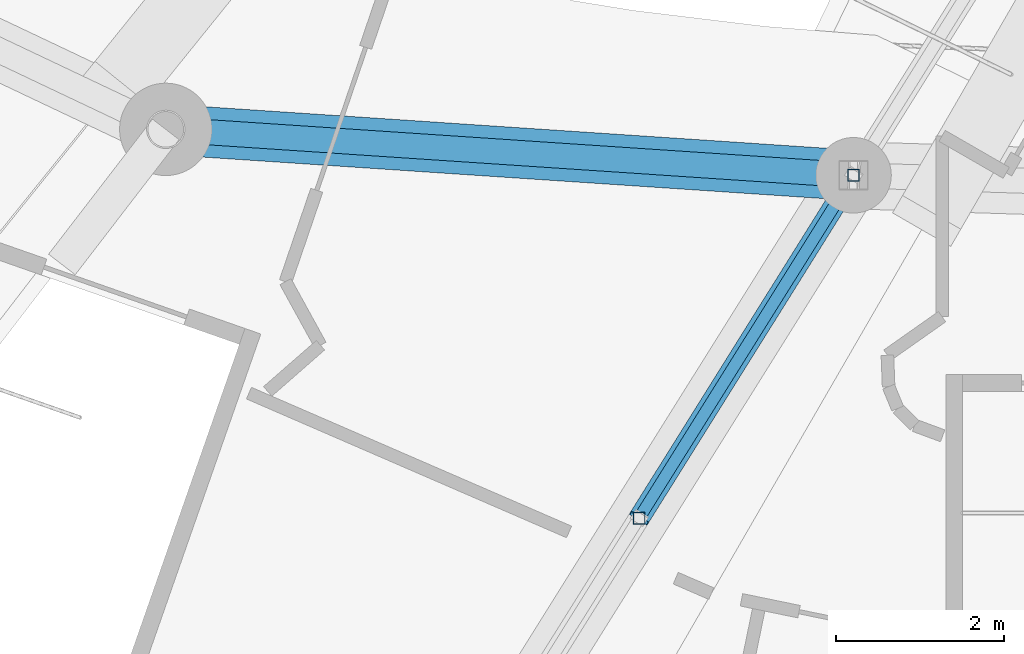
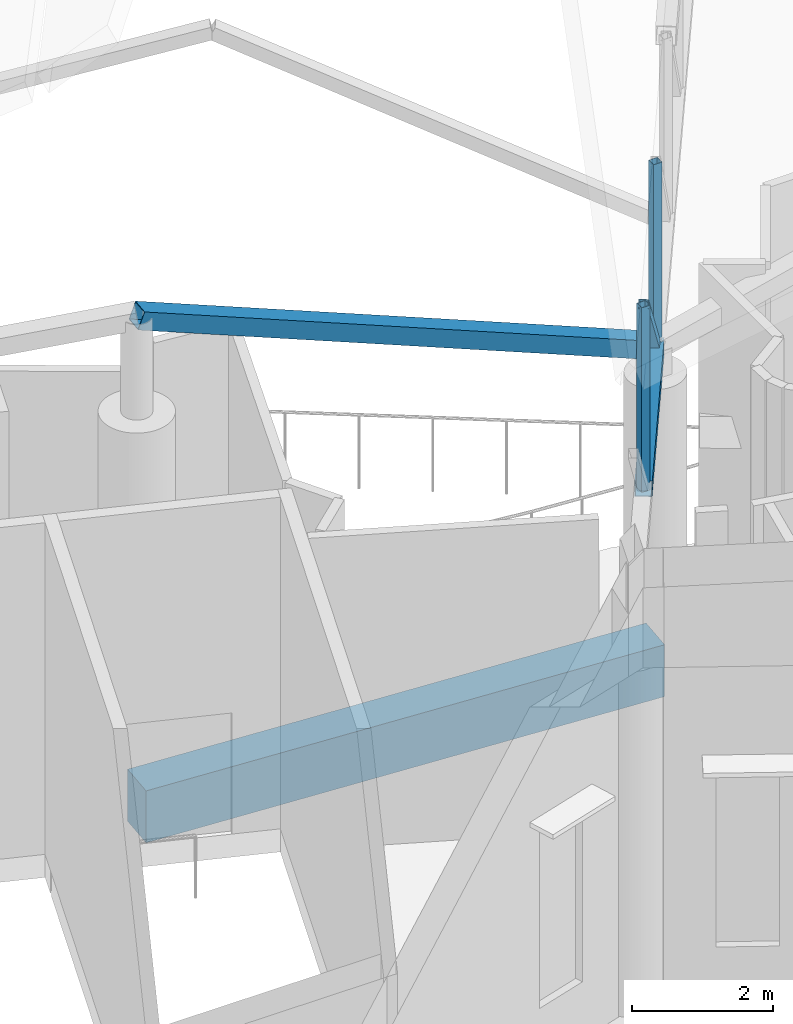
# One storey, part 6 of 344: 5 members, 1 beam.
"""IFC4 building model written with IfcOpenShell, lengths in metres."""

from ifc_helpers import new_model, si_unit, direction, frame, origin, origin_2d, place, context, subcontext, project, spatial, rectangle, hollow_rectangle, extrude, material, material_profile, profile_set, type_object, element, save


model = new_model("IFC4")

# Units and contexts
model_context = context("Model", 3, precision=1e-05, world=origin(), true_north=direction((0.0, 1.0)))
body_context = subcontext(model_context, "Body", "Model", "MODEL_VIEW")
ifc_project = project(units=[si_unit("LENGTHUNIT", "METRE"), si_unit("AREAUNIT", "SQUARE_METRE"), si_unit("VOLUMEUNIT", "CUBIC_METRE"), si_unit("PLANEANGLEUNIT", "RADIAN"), si_unit("MASSUNIT", "GRAM", prefix="KILO")], contexts=[model_context])

# Site, building, storey
site_placement = place(None, origin())
site = spatial("IfcSite", under=ifc_project, at=site_placement, CompositionType="ELEMENT")
building_placement = place(site_placement, origin())
building = spatial("IfcBuilding", under=site, at=building_placement, Name="Meseta Stadium", CompositionType="ELEMENT")
storey_placement = place(building_placement, frame((0.0, 0.0, 24.0)))
storey = spatial("IfcBuildingStorey", under=building, at=storey_placement, Name="L04", CompositionType="ELEMENT", Elevation=24.0)

# Beam
ifc_material_1 = material(Name="Concrete C40/50", Category="concrete")
ifc_material_profile_1 = material_profile(ifc_material_1, rectangle(XDim=0.60009765625, YDim=0.89990234375, at=origin_2d()), Name="RC 600x900")
ifc_profile_set_1 = profile_set([ifc_material_profile_1], Name="Concrete C40/50")
beam_type = type_object("IfcBeamType", Name="RC beam 600x900", PredefinedType="BEAM", material=ifc_profile_set_1)
beam_placement = place(storey_placement, frame((-54.523193359375, -89.579345703125, -0.85009765625), z_axis=(0.997778045289, -0.066625613231, 0.0), x_axis=(0.066625613231, 0.997778045289, 0.0)))
element("IfcBeam", 1, at=beam_placement, inside=storey, type_object=beam_type, Name="L04 ring beam frame 42 line P", PredefinedType="BEAM", context=body_context, shape_type="SweptSolid", body=[
    extrude(rectangle(XDim=0.60009765625, YDim=0.89990234375, at=origin_2d()), origin(), (0.0, 0.0, 1.0), 8.208251953125),
])

# Members
ifc_material_2 = material(Name="Steel S355", Category="steel")
ifc_material_profile_2 = material_profile(ifc_material_2, hollow_rectangle(XDim=0.139892578125, YDim=0.139892578125, WallThickness=0.0048828125, at=origin_2d()), Name="SHS 140x140x5")
ifc_profile_set_2 = profile_set([ifc_material_profile_2], Name="Steel S355")
member_type_1 = type_object("IfcMemberType", Name="SHS 140x140x5 diagonal", PredefinedType="BRACE", material=ifc_profile_set_2)
member_1_placement = place(storey_placement, frame((-46.333251953125, -90.126220703125, 4.598388671875), z_axis=(-0.404187576532, -0.646329201819, 0.647217865833), x_axis=(0.847861596685, -0.530217608974, 0.0)))
element("IfcMember", 2, at=member_1_placement, inside=storey, type_object=member_type_1, Name="ROOF TRUSS RT-43 diagonal", PredefinedType="BRACE", context=body_context, shape_type="SweptSolid", body=[
    extrude(hollow_rectangle(XDim=0.139892578125, YDim=0.139892578125, WallThickness=0.0048828125, at=origin_2d()), origin(), (0.0, 0.0, 1.0), 6.31884765625),
])
ifc_material_3 = material(Name="Steel S355", Category="steel")
ifc_material_profile_3 = material_profile(ifc_material_3, hollow_rectangle(XDim=0.139892578125, YDim=0.139892578125, WallThickness=0.0048828125, at=origin_2d()), Name="SHS 140x140x5")
ifc_profile_set_3 = profile_set([ifc_material_profile_3], Name="Steel S355")
member_type_2 = type_object("IfcMemberType", Name="SHS 140x140x5 post", PredefinedType="POST", material=ifc_profile_set_3)
for number, where, z_axis, x_axis, name in (
    (3, (-46.333251953125, -90.126220703125, 4.598388671875), (0.0, 0.0, 1.0), (1.0, 0.0, 0.0), "ROOF TRUSS RT-43 post"),
    (4, (-48.88720703125, -94.210205078125, 5.488037109375), (0.0, 0.0, 1.0), (1.0, 0.0, 0.0), "ROOF TRUSS RT-43 post"),
):
    element("IfcMember", number, at=place(storey_placement, frame(where, z_axis=z_axis, x_axis=x_axis)), inside=storey, type_object=member_type_2, Name=name, PredefinedType="POST", context=body_context, shape_type="SweptSolid", body=[
        extrude(hollow_rectangle(XDim=0.139892578125, YDim=0.139892578125, WallThickness=0.0048828125, at=origin_2d()), origin(), (0.0, 0.0, 1.0), 3.199951171875),
    ])
ifc_material_4 = material(Name="Steel S355", Category="steel")
ifc_material_profile_4 = material_profile(ifc_material_4, hollow_rectangle(XDim=0.25, YDim=0.25, WallThickness=0.010009765625, at=origin_2d()), Name="SHS 250x250x10")
ifc_profile_set_4 = profile_set([ifc_material_profile_4], Name="Steel S355")
member_type_3 = type_object("IfcMemberType", Name="SHS 250x250x10 bottom chord", PredefinedType="CHORD", material=ifc_profile_set_4)
member_2_placement = place(storey_placement, frame((-46.333251953125, -90.126220703125, 4.598388671875), z_axis=(-0.521398970467, -0.833759867888, 0.181624877964), x_axis=(0.847861596685, -0.530217608974, 0.0)))
element("IfcMember", 5, at=member_2_placement, inside=storey, type_object=member_type_3, Name="ROOF TRUSS RT-43 bottom chord", PredefinedType="CHORD", context=body_context, shape_type="SweptSolid", body=[
    extrude(hollow_rectangle(XDim=0.25, YDim=0.25, WallThickness=0.010009765625, at=origin_2d()), origin(), (0.0, 0.0, 1.0), 4.898193359375),
])
ifc_material_5 = material(Name="Steel S355", Category="steel")
ifc_material_profile_5 = material_profile(ifc_material_5, hollow_rectangle(XDim=0.300048828125, YDim=0.300048828125, WallThickness=0.010009765625, at=origin_2d()), Name="SHS 300x300x10")
ifc_profile_set_5 = profile_set([ifc_material_profile_5], Name="Steel S355")
member_type_4 = type_object("IfcMemberType", Name="SHS 300x300x10 pivot strut", PredefinedType="STRUT", material=ifc_profile_set_5)
member_3_placement = place(storey_placement, frame((-54.523193359375, -89.579345703125, 7.65380859375), z_axis=(0.935094192604, -0.06243996278, -0.348855417052), x_axis=(0.066625613231, 0.997778045289, 0.0)))
element("IfcMember", 6, at=member_3_placement, inside=storey, type_object=member_type_4, Name="ROOF PIVOT STRUT RT-42/43", PredefinedType="STRUT", context=body_context, shape_type="SweptSolid", body=[
    extrude(hollow_rectangle(XDim=0.300048828125, YDim=0.300048828125, WallThickness=0.010009765625, at=origin_2d()), origin(), (0.0, 0.0, 1.0), 8.75830078125),
])

save(model, "model.ifc")
